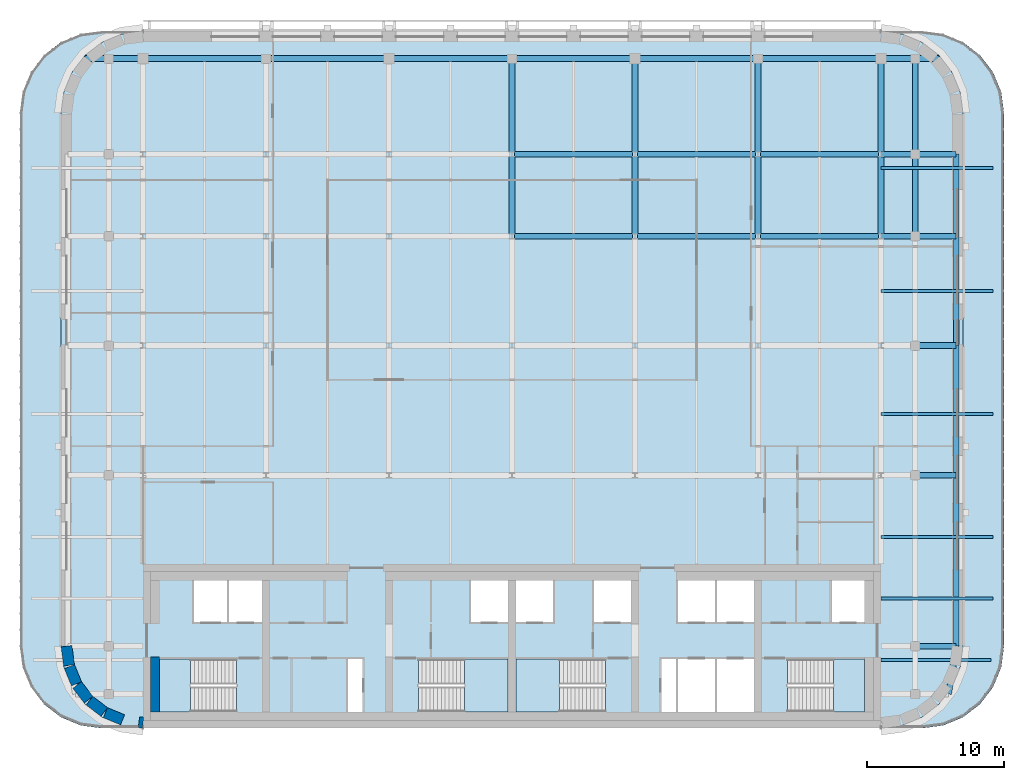
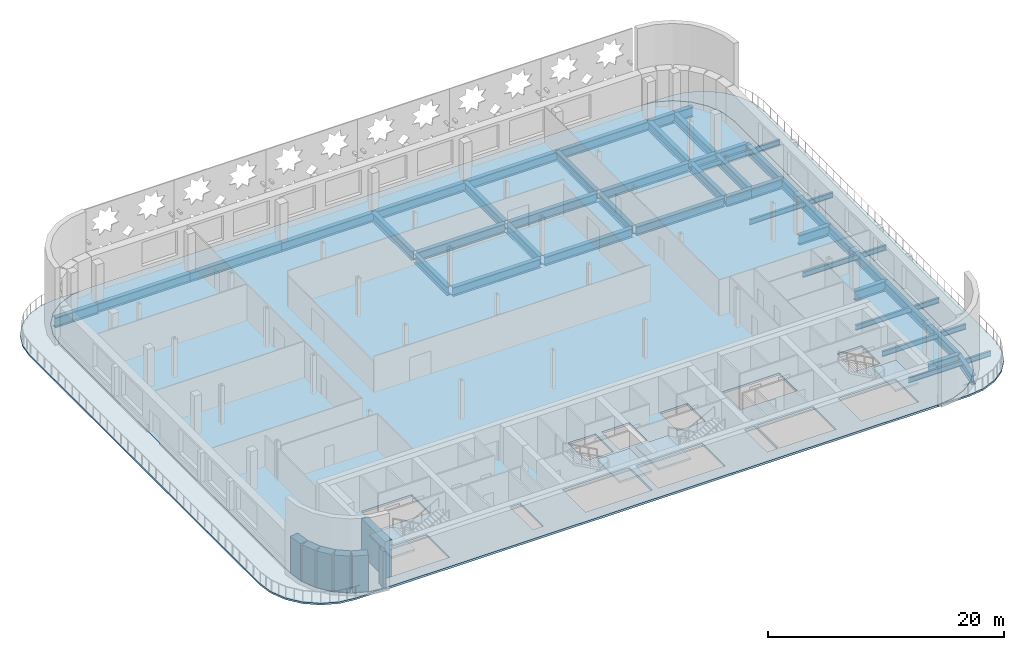
# One storey, part 6 of 15: 44 beams, 7 slabs, 7 walls, 4 elements without a shape of their own.
"""IFC4 building model written with IfcOpenShell, lengths in metres."""

import ifcopenshell
import ifcopenshell.guid

model = None  # the IFC model being written
_history = None  # IfcOwnerHistory: only IFC2X3 demands one
_inside = {}  # id of a spatial element -> (the spatial element, [elements in it])
_under = {}  # id of a project, library or spatial element -> (it, [spatial elements below it])
_declared = {}  # id of a project -> (the project, [libraries it declares])
_typed = {}  # id of a type object -> (the type object, [elements of that type])
_made_of = {}  # id of a material, layer set ... -> (it, [elements and type objects made of it])


def new_model(schema):
    """Start an empty IFC model of exactly this schema.

    Asked for "IFC4X3", IfcOpenShell would pick the latest addendum, in which some entities
    have other attributes; the version numbers below select the first issue.
    IFC2X3 requires an IfcOwnerHistory on every rooted entity: one is made here for all.
    """
    global model, _history
    if schema == "IFC4X3":
        model = ifcopenshell.file(schema_version=(4, 3, 0, 0))
    else:
        model = ifcopenshell.file(schema=schema)
    _inside.clear()
    _under.clear()
    _declared.clear()
    _typed.clear()
    _made_of.clear()
    _history = None
    if model.schema == "IFC2X3":
        org = make("IfcOrganization", Name="unknown")
        user = make(
            "IfcPersonAndOrganization",
            ThePerson=make("IfcPerson", FamilyName="unknown"),
            TheOrganization=org,
        )
        app = make(
            "IfcApplication",
            ApplicationDeveloper=org,
            Version="unknown",
            ApplicationFullName="unknown",
            ApplicationIdentifier="unknown",
        )
        _history = make(
            "IfcOwnerHistory",
            OwningUser=user,
            OwningApplication=app,
            ChangeAction="ADDED",
            CreationDate=0,
        )
    return model


def make(cls, **values):
    """One entity of the class cls with the attributes given. An attribute that is None is left unset."""
    return model.create_entity(
        cls, **{name: value for name, value in values.items() if value is not None}
    )


def rooted(cls, **values):
    """An entity with a GlobalId (a new one), such as an element, a storey or a relation."""
    return make(cls, GlobalId=ifcopenshell.guid.new(), OwnerHistory=_history, **values)


def si_unit(unit_type, name, prefix=None):
    """IfcSIUnit, for example si_unit("LENGTHUNIT", "METRE", prefix="MILLI")."""
    return make("IfcSIUnit", UnitType=unit_type, Prefix=prefix, Name=name)


def assignment(units):
    """IfcUnitAssignment: the units of a project."""
    return None if units is None else make("IfcUnitAssignment", Units=units)


def point(xyz):
    """IfcCartesianPoint."""
    return None if xyz is None else make("IfcCartesianPoint", Coordinates=xyz)


def direction(xyz):
    """IfcDirection."""
    return None if xyz is None else make("IfcDirection", DirectionRatios=xyz)


def frame(location, z_axis=None, x_axis=None):
    """IfcAxis2Placement3D, a coordinate frame: its origin and axes. An axis left out is left unset."""
    return make(
        "IfcAxis2Placement3D",
        Location=point(location),
        Axis=direction(z_axis),
        RefDirection=direction(x_axis),
    )


def frame_2d(location, x_axis=None):
    """IfcAxis2Placement2D, a coordinate frame in the plane: its origin and x axis."""
    return make(
        "IfcAxis2Placement2D", Location=point(location), RefDirection=direction(x_axis)
    )


def origin():
    """The frame at (0, 0, 0) with its axes left unset."""
    return frame((0.0, 0.0, 0.0))


def origin_2d():
    """The frame at (0, 0) in the plane with its x axis left unset."""
    return frame_2d((0.0, 0.0))


def place(relative_to, where):
    """IfcLocalPlacement: puts the frame where relative to a parent placement (None: the world)."""
    return make(
        "IfcLocalPlacement", PlacementRelTo=relative_to, RelativePlacement=where
    )


def context(
    kind, dimensions, precision=None, world=None, true_north=None, identifier=None
):
    """IfcGeometricRepresentationContext, for example the 3D "Model" context."""
    return make(
        "IfcGeometricRepresentationContext",
        ContextIdentifier=identifier,
        ContextType=kind,
        CoordinateSpaceDimension=dimensions,
        Precision=precision,
        WorldCoordinateSystem=world,
        TrueNorth=true_north,
    )


def subcontext(parent, identifier, kind, view, scale=None):
    """IfcGeometricRepresentationSubContext, for example "Body" below "Model"."""
    return make(
        "IfcGeometricRepresentationSubContext",
        ContextIdentifier=identifier,
        ContextType=kind,
        ParentContext=parent,
        TargetScale=scale,
        TargetView=view,
    )


def project(units=None, contexts=None):
    """IfcProject with its units and contexts."""
    return rooted(
        "IfcProject",
        Name="project",
        RepresentationContexts=contexts,
        UnitsInContext=assignment(units),
    )


def spatial(cls, under=None, at=None, **own):
    """A site, building, storey or space (cls), placed at a placement, below another one or the project."""
    s = rooted(cls, ObjectPlacement=at, **own)
    if under is not None:
        _under.setdefault(under.id(), (under, []))[1].append(s)
    return s


def polyline(points):
    """IfcPolyline through the points."""
    return make("IfcPolyline", Points=[point(p) for p in points])


def profile(cls, at=None, kind="AREA", **sizes):
    """A parametric profile (cls). Its sizes go by their IFC names, for example OverallWidth=200.0."""
    return make(cls, ProfileType=kind, Position=at, **sizes)


def rectangle(**sizes):
    """IfcRectangleProfileDef."""
    return profile("IfcRectangleProfileDef", **sizes)


def i_section(**sizes):
    """IfcIShapeProfileDef."""
    return profile("IfcIShapeProfileDef", **sizes)


def outline(outer, holes=None, kind="AREA"):
    """IfcArbitraryClosedProfileDef: a profile drawn as a closed curve; with holes, ...WithVoids."""
    if holes is None:
        return make("IfcArbitraryClosedProfileDef", ProfileType=kind, OuterCurve=outer)
    return make(
        "IfcArbitraryProfileDefWithVoids",
        ProfileType=kind,
        OuterCurve=outer,
        InnerCurves=holes,
    )


def extrude(swept, where, along, depth):
    """IfcExtrudedAreaSolid: the profile swept, set in the frame where, extruded along a direction by depth."""
    return make(
        "IfcExtrudedAreaSolid",
        SweptArea=swept,
        Position=where,
        ExtrudedDirection=direction(along),
        Depth=depth,
    )


def shape(context_of_items, identifier, shape_type, items):
    """IfcShapeRepresentation: the items that make up one representation, for example the "Body"."""
    return make(
        "IfcShapeRepresentation",
        ContextOfItems=context_of_items,
        RepresentationIdentifier=identifier,
        RepresentationType=shape_type,
        Items=items,
    )


def material(Name=None, Category=None):
    """IfcMaterial."""
    return make("IfcMaterial", Name=Name, Category=Category)


def layer(
    of_material, thickness, ventilated=None, Name=None, Category=None, Priority=None
):
    """IfcMaterialLayer: one layer of a wall or slab, of a material (None: an air gap)."""
    return make(
        "IfcMaterialLayer",
        Material=of_material,
        LayerThickness=thickness,
        IsVentilated=ventilated,
        Name=Name,
        Category=Category,
        Priority=Priority,
    )


def layer_set(layers, Name=None):
    """IfcMaterialLayerSet."""
    return make("IfcMaterialLayerSet", MaterialLayers=layers, LayerSetName=Name)


def material_profile(
    of_material, cross_section, Name=None, Category=None, Priority=None
):
    """IfcMaterialProfile: a cross section and its material."""
    return make(
        "IfcMaterialProfile",
        Name=Name,
        Material=of_material,
        Profile=cross_section,
        Priority=Priority,
        Category=Category,
    )


def profile_set(profiles, Name=None, composite=None):
    """IfcMaterialProfileSet."""
    return make(
        "IfcMaterialProfileSet",
        Name=Name,
        MaterialProfiles=profiles,
        CompositeProfile=composite,
    )


def made_of(thing, what):
    """Note that an element or type object is made of a material, layer set ...; save() writes the relation."""
    if what is not None:
        _made_of.setdefault(what.id(), (what, []))[1].append(thing)
    return thing


def type_object(cls, material=None, **own):
    """A type object (cls), such as IfcWallType, which elements share."""
    return made_of(rooted(cls, **own), material)


def element(
    cls,
    number,
    at=None,
    inside=None,
    cuts=None,
    type_object=None,
    material=None,
    context=None,
    identifier="Body",
    shape_type=None,
    held_by="IfcProductDefinitionShape",
    body=None,
    shapes=None,
    **own,
):
    """One element of the class cls, such as IfcWall. Its Tag is "e" and its number.

    at: its placement. inside: the storey or other place that contains it. cuts: it is an
    opening in that element (IfcRelVoidsElement). A single representation is given by context,
    identifier, shape_type and body (its items); several are given by shapes. held_by: the class
    of the entity that holds the representations. save() writes the other relations.
    """
    e = rooted(cls, Tag="e%d" % number, ObjectPlacement=at, **own)
    if body is not None:
        shapes = [shape(context, identifier, shape_type, body)]
    if shapes is not None:
        e.Representation = make(held_by, Representations=shapes)
    if inside is not None:
        _inside.setdefault(inside.id(), (inside, []))[1].append(e)
    if cuts is not None:
        rooted(
            "IfcRelVoidsElement", RelatingBuildingElement=cuts, RelatedOpeningElement=e
        )
    if type_object is not None:
        _typed.setdefault(type_object.id(), (type_object, []))[1].append(e)
    return made_of(e, material)


def aggregate(whole, parts):
    """IfcRelAggregates: a whole, such as a stair, and the parts it consists of."""
    return rooted("IfcRelAggregates", RelatingObject=whole, RelatedObjects=parts)


def save(model, path):
    """Write the relations noted so far, then the file.

    IfcRelAggregates (storeys below a building ...), IfcRelContainedInSpatialStructure (elements
    in a storey), IfcRelDefinesByType, IfcRelAssociatesMaterial and IfcRelDeclares: one each for
    every whole, place, type object, material and project.
    """
    for whole, parts in _under.values():
        aggregate(whole, parts)
    for where, things in _inside.values():
        rooted(
            "IfcRelContainedInSpatialStructure",
            RelatedElements=things,
            RelatingStructure=where,
        )
    for kind, things in _typed.values():
        rooted("IfcRelDefinesByType", RelatedObjects=things, RelatingType=kind)
    for what, things in _made_of.values():
        rooted("IfcRelAssociatesMaterial", RelatedObjects=things, RelatingMaterial=what)
    for by, libraries in _declared.values():
        rooted("IfcRelDeclares", RelatingContext=by, RelatedDefinitions=libraries)
    model.write(path)


model = new_model("IFC4")

# Units and contexts
model_context = context("Model", 3, precision=1e-05, world=origin(), true_north=direction((0.0, 1.0)))
body_context = subcontext(model_context, "Body", "Model", "MODEL_VIEW")
ifc_project = project(units=[si_unit("LENGTHUNIT", "METRE"), si_unit("AREAUNIT", "SQUARE_METRE"), si_unit("VOLUMEUNIT", "CUBIC_METRE"), si_unit("PLANEANGLEUNIT", "RADIAN"), si_unit("MASSUNIT", "GRAM", prefix="KILO")], contexts=[model_context])

# Site, building, storey
site_placement = place(None, origin())
site = spatial("IfcSite", under=ifc_project, at=site_placement, CompositionType="ELEMENT")
building_placement = place(site_placement, origin())
building = spatial("IfcBuilding", under=site, at=building_placement, Name="Zellij Exchange Tower", CompositionType="ELEMENT")
storey_placement = place(building_placement, frame((0.0, 0.0, 284.5)))
storey = spatial("IfcBuildingStorey", under=building, at=storey_placement, Name="L67", CompositionType="ELEMENT", Elevation=284.5)

# Beams
ifc_material_1 = material(Name="Structural steel ASTM A992 Gr 50", Category="steel")
ifc_material_profile_1 = material_profile(ifc_material_1, i_section(OverallWidth=0.209228515625, OverallDepth=0.533447265625, WebThickness=0.01025390625, FlangeThickness=0.015625, at=origin_2d()), Name="W21x62")
ifc_profile_set_1 = profile_set([ifc_material_profile_1], Name="Structural steel ASTM A992 Gr 50")
beam_type_1 = type_object("IfcBeamType", Name="STR-BEAM W21x62", PredefinedType="BEAM", material=ifc_profile_set_1)
beam_1_placement = place(storey_placement, frame((27.0, -9.0, -0.48681640625), z_axis=(1.0, 0.0, 0.0), x_axis=(0.0, 1.0, 0.0)))
element("IfcBeam", 1, at=beam_1_placement, inside=storey, type_object=beam_type_1, Name="B3", PredefinedType="BEAM", context=body_context, shape_type="SweptSolid", body=[
    extrude(i_section(OverallWidth=0.209228515625, OverallDepth=0.533447265625, WebThickness=0.01025390625, FlangeThickness=0.015625, at=origin_2d()), origin(), (0.0, 0.0, 1.0), 8.06103515625),
])
for number, where, z_axis, x_axis, name in (
    (2, (27.0, -4.5, -0.48681640625), (1.0, 0.0, 0.0), (0.0, 1.0, 0.0), "B3"),
    (3, (27.0, 0.0, -0.48681640625), (1.0, 0.0, 0.0), (0.0, 1.0, 0.0), "B3"),
    (4, (27.0, 9.0, -0.48681640625), (1.0, 0.0, 0.0), (0.0, 1.0, 0.0), "B3"),
    (5, (27.0, 18.0, -0.48681640625), (1.0, 0.0, 0.0), (0.0, 1.0, 0.0), "B3"),
    (6, (27.0, 27.0, -0.48681640625), (1.0, 0.0, 0.0), (0.0, 1.0, 0.0), "B3"),
):
    element("IfcBeam", number, at=place(storey_placement, frame(where, z_axis=z_axis, x_axis=x_axis)), inside=storey, type_object=beam_type_1, Name=name, PredefinedType="BEAM", context=body_context, shape_type="SweptSolid", body=[
        extrude(i_section(OverallWidth=0.209228515625, OverallDepth=0.533447265625, WebThickness=0.01025390625, FlangeThickness=0.015625, at=origin_2d()), origin(), (0.0, 0.0, 1.0), 8.199951171875),
    ])
ifc_material_2 = material(Name="Structural steel ASTM A913 Gr 65", Category="steel")
ifc_material_profile_2 = material_profile(ifc_material_2, i_section(OverallWidth=0.424072265625, OverallDepth=0.93212890625, WebThickness=0.02392578125, FlangeThickness=0.042724609375, at=origin_2d()), Name="W36x300")
ifc_profile_set_2 = profile_set([ifc_material_profile_2], Name="Structural steel ASTM A913 Gr 65")
beam_type_2 = type_object("IfcBeamType", Name="STR-EDGE GIRDER W36x300", PredefinedType="BEAM", material=ifc_profile_set_2)
beam_2_placement = place(storey_placement, frame((31.949951171875, -11.5, -0.68603515625), z_axis=(0.155251283593, 0.987875011802, 0.0), x_axis=(-0.987875011802, 0.155251283593, 0.0)))
element("IfcBeam", 7, at=beam_2_placement, inside=storey, type_object=beam_type_2, Name="EG5", PredefinedType="BEAM", context=body_context, shape_type="SweptSolid", body=[
    extrude(i_section(OverallWidth=0.424072265625, OverallDepth=0.93212890625, WebThickness=0.02392578125, FlangeThickness=0.042724609375, at=origin_2d()), origin(), (0.0, 0.0, 1.0), 3.54296875),
])
beam_3_placement = place(storey_placement, frame((32.5, -8.0, -0.68603515625), z_axis=(0.0, 1.0, 0.0), x_axis=(-1.0, 0.0, 0.0)))
element("IfcBeam", 8, at=beam_3_placement, inside=storey, type_object=beam_type_2, Name="EG5", PredefinedType="BEAM", context=body_context, shape_type="SweptSolid", body=[
    extrude(i_section(OverallWidth=0.424072265625, OverallDepth=0.93212890625, WebThickness=0.02392578125, FlangeThickness=0.042724609375, at=origin_2d()), origin(), (0.0, 0.0, 1.0), 12.5),
])
beam_4_placement = place(storey_placement, frame((32.5, 4.5, -0.68603515625), z_axis=(0.0, 1.0, 0.0), x_axis=(-1.0, 0.0, 0.0)))
element("IfcBeam", 9, at=beam_4_placement, inside=storey, type_object=beam_type_2, Name="EG5", PredefinedType="BEAM", context=body_context, shape_type="SweptSolid", body=[
    extrude(i_section(OverallWidth=0.424072265625, OverallDepth=0.93212890625, WebThickness=0.02392578125, FlangeThickness=0.042724609375, at=origin_2d()), origin(), (0.0, 0.0, 1.0), 9.5),
])
beam_5_placement = place(storey_placement, frame((32.5, 14.0, -0.68603515625), z_axis=(0.0, 1.0, 0.0), x_axis=(-1.0, 0.0, 0.0)))
element("IfcBeam", 10, at=beam_5_placement, inside=storey, type_object=beam_type_2, Name="EG5", PredefinedType="BEAM", context=body_context, shape_type="SweptSolid", body=[
    extrude(i_section(OverallWidth=0.424072265625, OverallDepth=0.93212890625, WebThickness=0.02392578125, FlangeThickness=0.042724609375, at=origin_2d()), origin(), (0.0, 0.0, 1.0), 8.0),
])
beam_6_placement = place(storey_placement, frame((32.5, 22.0, -0.68603515625), z_axis=(0.0, 1.0, 0.0), x_axis=(-1.0, 0.0, 0.0)))
element("IfcBeam", 11, at=beam_6_placement, inside=storey, type_object=beam_type_2, Name="EG5", PredefinedType="BEAM", context=body_context, shape_type="SweptSolid", body=[
    extrude(i_section(OverallWidth=0.424072265625, OverallDepth=0.93212890625, WebThickness=0.02392578125, FlangeThickness=0.042724609375, at=origin_2d()), origin(), (0.0, 0.0, 1.0), 6.0),
])
ifc_material_profile_3 = material_profile(ifc_material_2, i_section(OverallWidth=0.424072265625, OverallDepth=0.93212890625, WebThickness=0.02392578125, FlangeThickness=0.042724609375, at=origin_2d()), Name="W36x300")
ifc_profile_set_3 = profile_set([ifc_material_profile_3], Name="Structural steel ASTM A913 Gr 65")
beam_type_3 = type_object("IfcBeamType", Name="STR-GIRDER W36x300", PredefinedType="BEAM", material=ifc_profile_set_3)
for number, where, z_axis, x_axis, name in (
    (12, (0.18408203125, 22.0, -0.68603515625), (1.0, 0.0, 0.0), (0.0, 1.0, 0.0), "G5"),
    (13, (9.18408203125, 22.0, -0.68603515625), (1.0, 0.0, 0.0), (0.0, 1.0, 0.0), "G5"),
    (14, (18.18408203125, 22.0, -0.68603515625), (1.0, 0.0, 0.0), (0.0, 1.0, 0.0), "G5"),
    (15, (0.18408203125, 28.0, -0.68603515625), (1.0, 0.0, 0.0), (0.0, 1.0, 0.0), "G5"),
    (16, (9.18408203125, 28.0, -0.68603515625), (1.0, 0.0, 0.0), (0.0, 1.0, 0.0), "G5"),
    (17, (18.18408203125, 28.0, -0.68603515625), (1.0, 0.0, 0.0), (0.0, 1.0, 0.0), "G5"),
):
    element("IfcBeam", number, at=place(storey_placement, frame(where, z_axis=z_axis, x_axis=x_axis)), inside=storey, type_object=beam_type_3, Name=name, PredefinedType="BEAM", context=body_context, shape_type="SweptSolid", body=[
        extrude(i_section(OverallWidth=0.424072265625, OverallDepth=0.93212890625, WebThickness=0.02392578125, FlangeThickness=0.042724609375, at=origin_2d()), origin(), (0.0, 0.0, 1.0), 8.6318359375),
    ])
for number, where, z_axis, x_axis, name in (
    (18, (-27.0, 35.0, -0.68603515625), (1.0, 0.0, 0.0), (0.0, 1.0, 0.0), "G5"),
    (19, (-18.0, 35.0, -0.68603515625), (1.0, 0.0, 0.0), (0.0, 1.0, 0.0), "G5"),
    (20, (-9.0, 35.0, -0.68603515625), (1.0, 0.0, 0.0), (0.0, 1.0, 0.0), "G5"),
    (21, (0.0, 35.0, -0.68603515625), (1.0, 0.0, 0.0), (0.0, 1.0, 0.0), "G5"),
    (22, (9.0, 35.0, -0.68603515625), (1.0, 0.0, 0.0), (0.0, 1.0, 0.0), "G5"),
    (23, (18.0, 35.0, -0.68603515625), (1.0, 0.0, 0.0), (0.0, 1.0, 0.0), "G5"),
):
    element("IfcBeam", number, at=place(storey_placement, frame(where, z_axis=z_axis, x_axis=x_axis)), inside=storey, type_object=beam_type_3, Name=name, PredefinedType="BEAM", context=body_context, shape_type="SweptSolid", body=[
        extrude(i_section(OverallWidth=0.424072265625, OverallDepth=0.93212890625, WebThickness=0.02392578125, FlangeThickness=0.042724609375, at=origin_2d()), origin(), (0.0, 0.0, 1.0), 9.0),
    ])
beam_7_placement = place(storey_placement, frame((0.0, 22.177734375, -0.68603515625), z_axis=(0.0, 1.0, 0.0), x_axis=(-1.0, 0.0, 0.0)))
element("IfcBeam", 24, at=beam_7_placement, inside=storey, type_object=beam_type_3, Name="G5", PredefinedType="BEAM", context=body_context, shape_type="SweptSolid", body=[
    extrude(i_section(OverallWidth=0.424072265625, OverallDepth=0.93212890625, WebThickness=0.02392578125, FlangeThickness=0.042724609375, at=origin_2d()), origin(), (0.0, 0.0, 1.0), 5.64453125),
])
beam_8_placement = place(storey_placement, frame((0.0, 28.177734375, -0.68603515625), z_axis=(0.0, 1.0, 0.0), x_axis=(-1.0, 0.0, 0.0)))
element("IfcBeam", 25, at=beam_8_placement, inside=storey, type_object=beam_type_3, Name="G5", PredefinedType="BEAM", context=body_context, shape_type="SweptSolid", body=[
    extrude(i_section(OverallWidth=0.424072265625, OverallDepth=0.93212890625, WebThickness=0.02392578125, FlangeThickness=0.042724609375, at=origin_2d()), origin(), (0.0, 0.0, 1.0), 6.822265625),
])
beam_9_placement = place(storey_placement, frame((9.0, 22.177734375, -0.68603515625), z_axis=(0.0, 1.0, 0.0), x_axis=(-1.0, 0.0, 0.0)))
element("IfcBeam", 26, at=beam_9_placement, inside=storey, type_object=beam_type_3, Name="G5", PredefinedType="BEAM", context=body_context, shape_type="SweptSolid", body=[
    extrude(i_section(OverallWidth=0.424072265625, OverallDepth=0.93212890625, WebThickness=0.02392578125, FlangeThickness=0.042724609375, at=origin_2d()), origin(), (0.0, 0.0, 1.0), 5.64453125),
])
beam_10_placement = place(storey_placement, frame((9.0, 28.177734375, -0.68603515625), z_axis=(0.0, 1.0, 0.0), x_axis=(-1.0, 0.0, 0.0)))
element("IfcBeam", 27, at=beam_10_placement, inside=storey, type_object=beam_type_3, Name="G5", PredefinedType="BEAM", context=body_context, shape_type="SweptSolid", body=[
    extrude(i_section(OverallWidth=0.424072265625, OverallDepth=0.93212890625, WebThickness=0.02392578125, FlangeThickness=0.042724609375, at=origin_2d()), origin(), (0.0, 0.0, 1.0), 6.822265625),
])
beam_11_placement = place(storey_placement, frame((18.0, 22.177734375, -0.68603515625), z_axis=(0.0, 1.0, 0.0), x_axis=(-1.0, 0.0, 0.0)))
element("IfcBeam", 28, at=beam_11_placement, inside=storey, type_object=beam_type_3, Name="G5", PredefinedType="BEAM", context=body_context, shape_type="SweptSolid", body=[
    extrude(i_section(OverallWidth=0.424072265625, OverallDepth=0.93212890625, WebThickness=0.02392578125, FlangeThickness=0.042724609375, at=origin_2d()), origin(), (0.0, 0.0, 1.0), 5.64453125),
])
beam_12_placement = place(storey_placement, frame((18.0, 28.177734375, -0.68603515625), z_axis=(0.0, 1.0, 0.0), x_axis=(-1.0, 0.0, 0.0)))
element("IfcBeam", 29, at=beam_12_placement, inside=storey, type_object=beam_type_3, Name="G5", PredefinedType="BEAM", context=body_context, shape_type="SweptSolid", body=[
    extrude(i_section(OverallWidth=0.424072265625, OverallDepth=0.93212890625, WebThickness=0.02392578125, FlangeThickness=0.042724609375, at=origin_2d()), origin(), (0.0, 0.0, 1.0), 6.822265625),
])
beam_13_placement = place(storey_placement, frame((27.0, 22.177734375, -0.68603515625), z_axis=(0.0, 1.0, 0.0), x_axis=(-1.0, 0.0, 0.0)))
element("IfcBeam", 30, at=beam_13_placement, inside=storey, type_object=beam_type_3, Name="G5", PredefinedType="BEAM", context=body_context, shape_type="SweptSolid", body=[
    extrude(i_section(OverallWidth=0.424072265625, OverallDepth=0.93212890625, WebThickness=0.02392578125, FlangeThickness=0.042724609375, at=origin_2d()), origin(), (0.0, 0.0, 1.0), 5.64453125),
])
beam_14_placement = place(storey_placement, frame((27.0, 28.177734375, -0.68603515625), z_axis=(0.0, 1.0, 0.0), x_axis=(-1.0, 0.0, 0.0)))
element("IfcBeam", 31, at=beam_14_placement, inside=storey, type_object=beam_type_3, Name="G5", PredefinedType="BEAM", context=body_context, shape_type="SweptSolid", body=[
    extrude(i_section(OverallWidth=0.424072265625, OverallDepth=0.93212890625, WebThickness=0.02392578125, FlangeThickness=0.042724609375, at=origin_2d()), origin(), (0.0, 0.0, 1.0), 6.822265625),
])
beam_15_placement = place(storey_placement, frame((29.5, 22.0, -0.68603515625), z_axis=(0.0, 1.0, 0.0), x_axis=(-1.0, 0.0, 0.0)))
element("IfcBeam", 32, at=beam_15_placement, inside=storey, type_object=beam_type_3, Name="G5", PredefinedType="BEAM", context=body_context, shape_type="SweptSolid", body=[
    extrude(i_section(OverallWidth=0.424072265625, OverallDepth=0.93212890625, WebThickness=0.02392578125, FlangeThickness=0.042724609375, at=origin_2d()), origin(), (0.0, 0.0, 1.0), 6.0),
])
beam_16_placement = place(storey_placement, frame((29.5, 28.0, -0.68603515625), z_axis=(0.0, 1.0, 0.0), x_axis=(-1.0, 0.0, 0.0)))
element("IfcBeam", 33, at=beam_16_placement, inside=storey, type_object=beam_type_3, Name="G5", PredefinedType="BEAM", context=body_context, shape_type="SweptSolid", body=[
    extrude(i_section(OverallWidth=0.424072265625, OverallDepth=0.93212890625, WebThickness=0.02392578125, FlangeThickness=0.042724609375, at=origin_2d()), origin(), (0.0, 0.0, 1.0), 7.0),
])
ifc_material_profile_4 = material_profile(ifc_material_2, i_section(OverallWidth=0.408935546875, OverallDepth=1.04150390625, WebThickness=0.031005859375, FlangeThickness=0.055908203125, at=origin_2d()), Name="W40x397")
ifc_profile_set_4 = profile_set([ifc_material_profile_4], Name="Structural steel ASTM A913 Gr 65")
beam_type_4 = type_object("IfcBeamType", Name="STR-TRANSFER GIRDER W40x397", PredefinedType="BEAM", material=ifc_profile_set_4)
beam_17_placement = place(storey_placement, frame((-31.25, 35.0, -0.74072265625), z_axis=(1.0, 0.0, 0.0), x_axis=(0.0, 1.0, 0.0)))
element("IfcBeam", 34, at=beam_17_placement, inside=storey, type_object=beam_type_4, Name="TG6", PredefinedType="BEAM", context=body_context, shape_type="SweptSolid", body=[
    extrude(i_section(OverallWidth=0.408935546875, OverallDepth=1.04150390625, WebThickness=0.031005859375, FlangeThickness=0.055908203125, at=origin_2d()), origin(), (0.0, 0.0, 1.0), 1.75),
])
beam_18_placement = place(storey_placement, frame((-29.5, 35.0, -0.74072265625), z_axis=(1.0, 0.0, 0.0), x_axis=(0.0, 1.0, 0.0)))
element("IfcBeam", 35, at=beam_18_placement, inside=storey, type_object=beam_type_4, Name="TG6", PredefinedType="BEAM", context=body_context, shape_type="SweptSolid", body=[
    extrude(i_section(OverallWidth=0.408935546875, OverallDepth=1.04150390625, WebThickness=0.031005859375, FlangeThickness=0.055908203125, at=origin_2d()), origin(), (0.0, 0.0, 1.0), 2.5),
])
for number, where, z_axis, x_axis, name in (
    (36, (29.5, -8.0, -0.74072265625), (1.0, 0.0, 0.0), (0.0, 1.0, 0.0), "TG6"),
    (37, (29.5, 4.5, -0.74072265625), (1.0, 0.0, 0.0), (0.0, 1.0, 0.0), "TG6"),
    (38, (29.5, 14.0, -0.74072265625), (1.0, 0.0, 0.0), (0.0, 1.0, 0.0), "TG6"),
):
    element("IfcBeam", number, at=place(storey_placement, frame(where, z_axis=z_axis, x_axis=x_axis)), inside=storey, type_object=beam_type_4, Name=name, PredefinedType="BEAM", context=body_context, shape_type="SweptSolid", body=[
        extrude(i_section(OverallWidth=0.408935546875, OverallDepth=1.04150390625, WebThickness=0.031005859375, FlangeThickness=0.055908203125, at=origin_2d()), origin(), (0.0, 0.0, 1.0), 3.0),
    ])
beam_19_placement = place(storey_placement, frame((27.0, 22.0, -0.74072265625), z_axis=(1.0, 0.0, 0.0), x_axis=(0.0, 1.0, 0.0)))
element("IfcBeam", 39, at=beam_19_placement, inside=storey, type_object=beam_type_4, Name="TG6", PredefinedType="BEAM", context=body_context, shape_type="SweptSolid", body=[
    extrude(i_section(OverallWidth=0.408935546875, OverallDepth=1.04150390625, WebThickness=0.031005859375, FlangeThickness=0.055908203125, at=origin_2d()), origin(), (0.0, 0.0, 1.0), 2.5),
])
beam_20_placement = place(storey_placement, frame((29.5, 22.0, -0.74072265625), z_axis=(1.0, 0.0, 0.0), x_axis=(0.0, 1.0, 0.0)))
element("IfcBeam", 40, at=beam_20_placement, inside=storey, type_object=beam_type_4, Name="TG6", PredefinedType="BEAM", context=body_context, shape_type="SweptSolid", body=[
    extrude(i_section(OverallWidth=0.408935546875, OverallDepth=1.04150390625, WebThickness=0.031005859375, FlangeThickness=0.055908203125, at=origin_2d()), origin(), (0.0, 0.0, 1.0), 3.0),
])
beam_21_placement = place(storey_placement, frame((27.0, 28.0, -0.74072265625), z_axis=(1.0, 0.0, 0.0), x_axis=(0.0, 1.0, 0.0)))
element("IfcBeam", 41, at=beam_21_placement, inside=storey, type_object=beam_type_4, Name="TG6", PredefinedType="BEAM", context=body_context, shape_type="SweptSolid", body=[
    extrude(i_section(OverallWidth=0.408935546875, OverallDepth=1.04150390625, WebThickness=0.031005859375, FlangeThickness=0.055908203125, at=origin_2d()), origin(), (0.0, 0.0, 1.0), 2.5),
])
beam_22_placement = place(storey_placement, frame((29.5, 28.0, -0.74072265625), z_axis=(1.0, 0.0, 0.0), x_axis=(0.0, 1.0, 0.0)))
element("IfcBeam", 42, at=beam_22_placement, inside=storey, type_object=beam_type_4, Name="TG6", PredefinedType="BEAM", context=body_context, shape_type="SweptSolid", body=[
    extrude(i_section(OverallWidth=0.408935546875, OverallDepth=1.04150390625, WebThickness=0.031005859375, FlangeThickness=0.055908203125, at=origin_2d()), origin(), (0.0, 0.0, 1.0), 3.0),
])
beam_23_placement = place(storey_placement, frame((27.0, 35.0, -0.74072265625), z_axis=(1.0, 0.0, 0.0), x_axis=(0.0, 1.0, 0.0)))
element("IfcBeam", 43, at=beam_23_placement, inside=storey, type_object=beam_type_4, Name="TG6", PredefinedType="BEAM", context=body_context, shape_type="SweptSolid", body=[
    extrude(i_section(OverallWidth=0.408935546875, OverallDepth=1.04150390625, WebThickness=0.031005859375, FlangeThickness=0.055908203125, at=origin_2d()), origin(), (0.0, 0.0, 1.0), 2.5),
])
beam_24_placement = place(storey_placement, frame((29.5, 35.0, -0.74072265625), z_axis=(1.0, 0.0, 0.0), x_axis=(0.0, 1.0, 0.0)))
element("IfcBeam", 44, at=beam_24_placement, inside=storey, type_object=beam_type_4, Name="TG6", PredefinedType="BEAM", context=body_context, shape_type="SweptSolid", body=[
    extrude(i_section(OverallWidth=0.408935546875, OverallDepth=1.04150390625, WebThickness=0.031005859375, FlangeThickness=0.055908203125, at=origin_2d()), origin(), (0.0, 0.0, 1.0), 1.75),
])

# Stair, slab
ifc_material_3 = material(Name="Concrete C40/50", Category="concrete")
stair_type = type_object("IfcStairType", Name="CORE-ST exit stair 1850 wide", PredefinedType="HALF_TURN_STAIR", material=ifc_material_3)
stair_1_placement = place(storey_placement, origin())
stair_1 = element("IfcStair", 45, at=stair_1_placement, inside=storey, type_object=stair_type, Name="L67 exit stair ST1", PredefinedType="HALF_TURN_STAIR")
ifc_layer_1 = layer(ifc_material_3, 0.199951171875)
ifc_layer_set_1 = layer_set([ifc_layer_1], Name="Concrete C40/50")
slab_type_1 = type_object("IfcSlabType", Name="CORE-SL stair landing 200", PredefinedType="LANDING", material=ifc_layer_set_1)
slab_1_placement = place(storey_placement, frame((0.0, 0.0, 1.800048828125)))
slab_1 = element("IfcSlab", 46, at=slab_1_placement, type_object=slab_type_1, Name="ST1 landing 1", PredefinedType="LANDING", context=body_context, shape_type="SweptSolid", body=[
    extrude(outline(polyline([(-23.510009765625, -8.949951171875), (-25.800048828125, -8.949951171875), (-25.800048828125, -12.800048828125), (-23.510009765625, -12.800048828125), (-23.510009765625, -8.949951171875)])), origin(), (0.0, 0.0, 1.0), 0.199951171875),
])
aggregate(stair_1, [slab_1])

stair_2_placement = place(storey_placement, origin())
stair_2 = element("IfcStair", 47, at=stair_2_placement, inside=storey, type_object=stair_type, Name="L67 exit stair ST2", PredefinedType="HALF_TURN_STAIR")
slab_2_placement = place(storey_placement, frame((0.0, 0.0, 1.800048828125)))
slab_2 = element("IfcSlab", 48, at=slab_2_placement, type_object=slab_type_1, Name="ST2 landing 1", PredefinedType="LANDING", context=body_context, shape_type="SweptSolid", body=[
    extrude(outline(polyline([(-3.489990234375, -12.800048828125), (-0.300048828125, -12.800048828125), (-0.300048828125, -8.949951171875), (-3.489990234375, -8.949951171875), (-3.489990234375, -12.800048828125)])), origin(), (0.0, 0.0, 1.0), 0.199951171875),
])
aggregate(stair_2, [slab_2])

stair_3_placement = place(storey_placement, origin())
stair_3 = element("IfcStair", 49, at=stair_3_placement, inside=storey, type_object=stair_type, Name="L67 exit stair ST3", PredefinedType="HALF_TURN_STAIR")
slab_3_placement = place(storey_placement, frame((0.0, 0.0, 1.800048828125)))
slab_3 = element("IfcSlab", 50, at=slab_3_placement, type_object=slab_type_1, Name="ST3 landing 1", PredefinedType="LANDING", context=body_context, shape_type="SweptSolid", body=[
    extrude(outline(polyline([(3.489990234375, -8.949951171875), (0.300048828125, -8.949951171875), (0.300048828125, -12.800048828125), (3.489990234375, -12.800048828125), (3.489990234375, -8.949951171875)])), origin(), (0.0, 0.0, 1.0), 0.199951171875),
])
aggregate(stair_3, [slab_3])

stair_4_placement = place(storey_placement, origin())
stair_4 = element("IfcStair", 51, at=stair_4_placement, inside=storey, type_object=stair_type, Name="L67 exit stair ST4", PredefinedType="HALF_TURN_STAIR")
slab_4_placement = place(storey_placement, frame((0.0, 0.0, 1.800048828125)))
slab_4 = element("IfcSlab", 52, at=slab_4_placement, type_object=slab_type_1, Name="ST4 landing 1", PredefinedType="LANDING", context=body_context, shape_type="SweptSolid", body=[
    extrude(outline(polyline([(23.510009765625, -12.800048828125), (25.800048828125, -12.800048828125), (25.800048828125, -8.949951171875), (23.510009765625, -8.949951171875), (23.510009765625, -12.800048828125)])), origin(), (0.0, 0.0, 1.0), 0.199951171875),
])
aggregate(stair_4, [slab_4])

# Slabs
ifc_layer_2 = layer(ifc_material_3, 0.219970703125)
ifc_layer_set_2 = layer_set([ifc_layer_2], Name="Concrete C40/50")
slab_type_2 = type_object("IfcSlabType", Name="ENV-TERRACE SLAB 220 C40/50", PredefinedType="FLOOR", material=ifc_layer_set_2)
slab_5_placement = place(storey_placement, frame((0.0, 0.0, -0.219970703125)))
element("IfcSlab", 53, at=slab_5_placement, inside=storey, type_object=slab_type_2, Name="Terrace slab L67", PredefinedType="FLOOR", context=body_context, shape_type="SweptSolid", body=[
    extrude(outline(polyline([(-31.24267578125, -12.24267578125), (-32.1962890625, -11.0), (-32.795654296875, -9.552978515625), (-33.0, -8.0), (-33.0, 31.0), (-32.795654296875, 32.552978515625), (-32.1962890625, 34.0), (-31.24267578125, 35.24267578125), (-30.0, 36.1962890625), (-28.552978515625, 36.795654296875), (-27.0, 37.0), (-30.0, 37.0), (-31.552978515625, 36.795654296875), (-33.0, 36.1962890625), (-34.24267578125, 35.24267578125), (-35.1962890625, 34.0), (-35.795654296875, 32.552978515625), (-36.0, 31.0), (-36.0, -8.0), (-35.795654296875, -9.552978515625), (-35.1962890625, -11.0), (-34.24267578125, -12.24267578125), (-33.0, -13.1962890625), (-31.552978515625, -13.795654296875), (-30.0, -14.0), (-27.0, -14.0), (-28.552978515625, -13.795654296875), (-30.0, -13.1962890625), (-31.24267578125, -12.24267578125)])), origin(), (0.0, 0.0, 1.0), 0.179931640625),
])
slab_6_placement = place(storey_placement, frame((0.0, 0.0, -0.219970703125)))
element("IfcSlab", 54, at=slab_6_placement, inside=storey, type_object=slab_type_2, Name="Terrace slab L67", PredefinedType="FLOOR", context=body_context, shape_type="SweptSolid", body=[
    extrude(outline(polyline([(27.0, -14.0), (30.0, -14.0), (31.552978515625, -13.795654296875), (33.0, -13.1962890625), (34.24267578125, -12.24267578125), (35.1962890625, -11.0), (35.795654296875, -9.552978515625), (36.0, -8.0), (36.0, 31.0), (35.795654296875, 32.552978515625), (35.1962890625, 34.0), (34.24267578125, 35.24267578125), (33.0, 36.1962890625), (31.552978515625, 36.795654296875), (30.0, 37.0), (27.0, 37.0), (28.552978515625, 36.795654296875), (30.0, 36.1962890625), (31.24267578125, 35.24267578125), (32.1962890625, 34.0), (32.795654296875, 32.552978515625), (33.0, 31.0), (33.0, -8.0), (32.795654296875, -9.552978515625), (32.1962890625, -11.0), (31.24267578125, -12.24267578125), (30.0, -13.1962890625), (28.552978515625, -13.795654296875), (27.0, -14.0)])), origin(), (0.0, 0.0, 1.0), 0.179931640625),
])
ifc_layer_3 = layer(ifc_material_3, 0.219970703125)
ifc_layer_set_3 = layer_set([ifc_layer_3], Name="Concrete C40/50")
slab_type_3 = type_object("IfcSlabType", Name="STR-FLOOR SLAB 220 C40/50", PredefinedType="FLOOR", material=ifc_layer_set_3)
slab_7_placement = place(storey_placement, frame((0.0, 0.0, -0.22021484375)))
element("IfcSlab", 55, at=slab_7_placement, inside=storey, type_object=slab_type_3, Name="Floor L67", PredefinedType="FLOOR", context=body_context, shape_type="SweptSolid", body=[
    extrude(outline(polyline([(-27.0, -14.0), (-28.552978515625, -13.795654296875), (-30.0, -13.1962890625), (-31.24267578125, -12.24267578125), (-32.1962890625, -11.0), (-32.795654296875, -9.552978515625), (-33.0, -8.0), (-33.0, 31.0), (-32.795654296875, 32.552978515625), (-32.1962890625, 34.0), (-31.24267578125, 35.24267578125), (-30.0, 36.1962890625), (-28.552978515625, 36.795654296875), (-27.0, 37.0), (27.0, 37.0), (28.552978515625, 36.795654296875), (30.0, 36.1962890625), (31.24267578125, 35.24267578125), (32.1962890625, 34.0), (32.795654296875, 32.552978515625), (33.0, 31.0), (33.0, -8.0), (32.795654296875, -9.552978515625), (32.1962890625, -11.0), (31.24267578125, -12.24267578125), (30.0, -13.1962890625), (28.552978515625, -13.795654296875), (27.0, -14.0), (-27.0, -14.0)]), holes=[polyline([(-25.800048828125, -8.949951171875), (-25.800048828125, -12.800048828125), (-20.153076171875, -12.800048828125), (-20.153076171875, -8.949951171875), (-25.800048828125, -8.949951171875)]), polyline([(-10.949951171875, -8.949951171875), (-12.0, -8.949951171875), (-12.0, -12.800048828125), (-10.949951171875, -12.800048828125), (-10.949951171875, -8.949951171875)]), polyline([(-0.300048828125, -8.949951171875), (-6.846923828125, -8.949951171875), (-6.846923828125, -12.800048828125), (-0.300048828125, -12.800048828125), (-0.300048828125, -8.949951171875)]), polyline([(0.300048828125, -8.949951171875), (0.300048828125, -12.800048828125), (6.846923828125, -12.800048828125), (6.846923828125, -8.949951171875), (0.300048828125, -8.949951171875)]), polyline([(-18.300048828125, -3.199951171875), (-23.25, -3.199951171875), (-23.25, -6.22509765625), (-18.300048828125, -6.22509765625), (-18.300048828125, -3.199951171875)]), polyline([(-0.300048828125, -3.199951171875), (-3.0, -3.199951171875), (-3.0, -6.22509765625), (-0.300048828125, -6.22509765625), (-0.300048828125, -3.199951171875)]), polyline([(0.300048828125, -3.199951171875), (0.300048828125, -6.22509765625), (3.0, -6.22509765625), (3.0, -3.199951171875), (0.300048828125, -3.199951171875)]), polyline([(12.0, -8.949951171875), (10.949951171875, -8.949951171875), (10.949951171875, -12.800048828125), (12.0, -12.800048828125), (12.0, -8.949951171875)]), polyline([(17.699951171875, -8.949951171875), (12.14990234375, -8.949951171875), (12.14990234375, -12.800048828125), (17.699951171875, -12.800048828125), (17.699951171875, -8.949951171875)]), polyline([(25.800048828125, -8.949951171875), (20.153076171875, -8.949951171875), (20.153076171875, -12.800048828125), (25.800048828125, -12.800048828125), (25.800048828125, -8.949951171875)]), polyline([(8.699951171875, -3.199951171875), (6.0, -3.199951171875), (6.0, -6.22509765625), (8.699951171875, -6.22509765625), (8.699951171875, -3.199951171875)]), polyline([(17.699951171875, -3.199951171875), (12.14990234375, -3.199951171875), (12.14990234375, -6.22509765625), (17.699951171875, -6.22509765625), (17.699951171875, -3.199951171875)]), polyline([(25.800048828125, -3.199951171875), (23.39990234375, -3.199951171875), (23.39990234375, -6.22509765625), (25.800048828125, -6.22509765625), (25.800048828125, -3.199951171875)])]), origin(), (0.0, 0.0, 1.0), 0.22021484375),
])

# Walls
ifc_material_4 = material(Name="Concrete C30/37", Category="concrete")
ifc_layer_4 = layer(ifc_material_4, 0.64990234375)
ifc_layer_set_4 = layer_set([ifc_layer_4], Name="Concrete C30/37")
wall_type_1 = type_object("IfcWallType", Name="CORE-LW 650 C30/37", PredefinedType="SHEAR", material=ifc_layer_set_4)
wall_1_placement = place(storey_placement, frame((-26.125, -12.800048828125, 0.0), z_axis=(0.0, 0.0, 1.0), x_axis=(0.0, 1.0, 0.0)))
element("IfcWall", 56, at=wall_1_placement, inside=storey, type_object=wall_type_1, Name="Core wall lining end w.0 L67", PredefinedType="SHEAR", context=body_context, shape_type="SweptSolid", body=[
    extrude(rectangle(XDim=4.0, YDim=0.64990234375, at=frame_2d((2.0, 0.0))), origin(), (0.0, 0.0, 1.0), 3.780029296875),
])
ifc_material_5 = material(Name="Precast concrete C40/50", Category="concrete")
ifc_layer_5 = layer(ifc_material_5, 0.800048828125)
ifc_layer_set_5 = layer_set([ifc_layer_5], Name="Precast concrete C40/50")
wall_type_2 = type_object("IfcWallType", Name="ENV-EW1 Precast stone-piered wall 800", PredefinedType="SOLIDWALL", material=ifc_layer_set_5)
wall_2_placement = place(storey_placement, frame((-32.5966796875, -7.999755859375, 0.0), z_axis=(0.0, 0.0, 1.0), x_axis=(0.130517283865, -0.99144603414, 0.0)))
element("IfcWall", 57, at=wall_2_placement, inside=storey, type_object=wall_type_2, Name="fac.L67.22", PredefinedType="SOLIDWALL", context=body_context, shape_type="SweptSolid", body=[
    extrude(rectangle(XDim=1.408447265625, YDim=0.800048828125, at=frame_2d((0.7041015625, 0.0))), origin(), (0.0, 0.0, 1.0), 3.780029296875),
])
wall_3_placement = place(storey_placement, frame((-32.3857421875, -9.497314453125, 0.0), z_axis=(0.0, 0.0, 1.0), x_axis=(0.38276009378, -0.923847774587, 0.0)))
element("IfcWall", 58, at=wall_3_placement, inside=storey, type_object=wall_type_2, Name="fac.L67.23", PredefinedType="SOLIDWALL", context=body_context, shape_type="SweptSolid", body=[
    extrude(rectangle(XDim=1.35546875, YDim=0.800048828125, at=frame_2d((0.677734375, 0.0))), origin(), (0.0, 0.0, 1.0), 3.780029296875),
])
for number, where, z_axis, x_axis, name in (
    (59, (-31.814697265625, -10.840087890625, 0.0), (0.0, 0.0, 1.0), (0.608866226366, -0.793272915452, 0.0), "fac.L67.24"),
    (60, (-30.91552734375, -11.9892578125, 0.0), (0.0, 0.0, 1.0), (0.793272915452, -0.608866226366, 0.0), "fac.L67.25"),
):
    element("IfcWall", number, at=place(storey_placement, frame(where, z_axis=z_axis, x_axis=x_axis)), inside=storey, type_object=wall_type_2, Name=name, PredefinedType="SOLIDWALL", context=body_context, shape_type="SweptSolid", body=[
        extrude(rectangle(XDim=1.355712890625, YDim=0.800048828125, at=frame_2d((0.677734375, 0.0))), origin(), (0.0, 0.0, 1.0), 3.780029296875),
    ])
wall_4_placement = place(storey_placement, frame((-29.74951171875, -12.866943359375, 0.0), z_axis=(0.0, 0.0, 1.0), x_axis=(0.923847774587, -0.38276009378, 0.0)))
element("IfcWall", 61, at=wall_4_placement, inside=storey, type_object=wall_type_2, Name="fac.L67.26", PredefinedType="SOLIDWALL", context=body_context, shape_type="SweptSolid", body=[
    extrude(rectangle(XDim=1.35546875, YDim=0.800048828125, at=frame_2d((0.677734375, 0.0))), origin(), (0.0, 0.0, 1.0), 3.780029296875),
])
wall_5_placement = place(storey_placement, frame((-27.295654296875, -13.5576171875, 0.0), z_axis=(0.0, 0.0, 1.0), x_axis=(0.991398522068, -0.130877692682, 0.0)))
element("IfcWall", 62, at=wall_5_placement, inside=storey, type_object=wall_type_2, Name="fac.L67.27", PredefinedType="SOLIDWALL", context=body_context, shape_type="SweptSolid", body=[
    extrude(rectangle(XDim=0.298583984375, YDim=0.800048828125, at=frame_2d((0.1494140625, 0.0))), origin(), (0.0, 0.0, 1.0), 3.780029296875),
])

save(model, "model.ifc")
